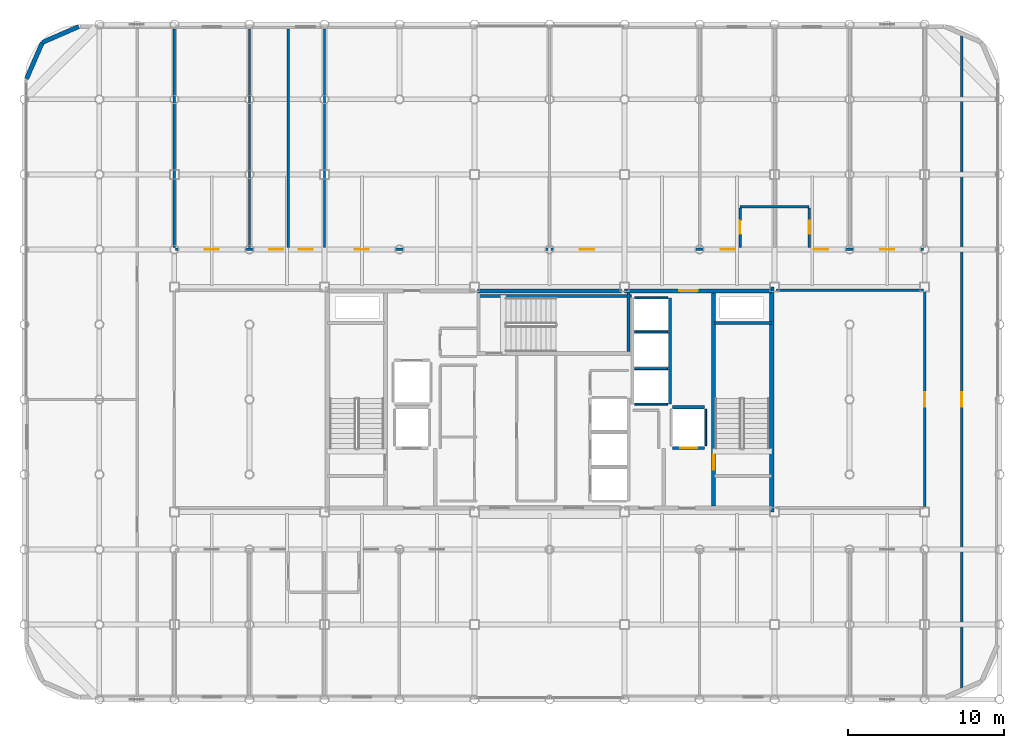
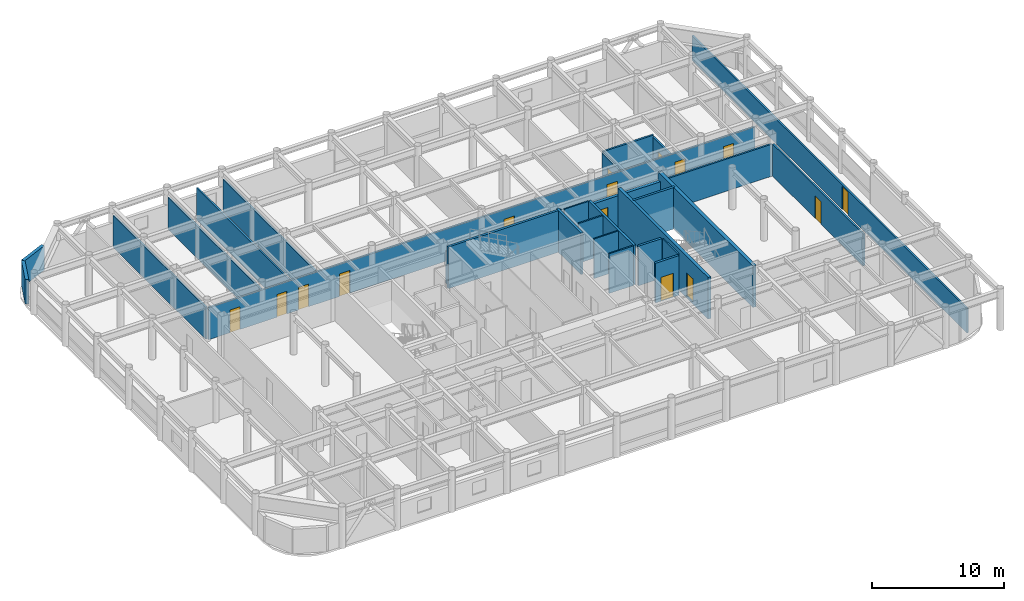
# One storey, part 20 of 22: 28 walls, 15 doors, 15 openings.
"""IFC4 building model written with IfcOpenShell, lengths in metres."""

from ifc_helpers import new_model, si_unit, direction, frame, frame_2d, origin, place, context, subcontext, project, spatial, rectangle, extrude, material, layer, layer_set, type_object, element, fill, save


model = new_model("IFC4")

# Units and contexts
model_context = context("Model", 3, precision=1e-05, world=origin(), true_north=direction((0.0, 1.0)))
body_context = subcontext(model_context, "Body", "Model", "MODEL_VIEW")
ifc_project = project(units=[si_unit("LENGTHUNIT", "METRE"), si_unit("AREAUNIT", "SQUARE_METRE"), si_unit("VOLUMEUNIT", "CUBIC_METRE"), si_unit("PLANEANGLEUNIT", "RADIAN"), si_unit("MASSUNIT", "GRAM", prefix="KILO")], contexts=[model_context])

# Site, building, storey
site_placement = place(None, origin())
site = spatial("IfcSite", under=ifc_project, at=site_placement, CompositionType="ELEMENT")
building_placement = place(site_placement, origin())
building = spatial("IfcBuilding", under=site, at=building_placement, Name="Kallvorn Hotel Tower", CompositionType="ELEMENT")
storey_placement = place(building_placement, frame((0.0, 0.0, 260.800048828125)))
storey = spatial("IfcBuildingStorey", under=building, at=storey_placement, Name="L65", CompositionType="ELEMENT", Elevation=260.800048828125)

# Wall
ifc_material_1 = material(Name="Concrete C50/60", Category="concrete")
ifc_layer_1 = layer(ifc_material_1, 0.300048828125)
ifc_layer_set_1 = layer_set([ifc_layer_1], Name="WL_CORE_300")
wall_type_1 = type_object("IfcWallType", Name="WL_CORE_300", PredefinedType="SHEAR", material=ifc_layer_set_1)
wall_1_placement = place(storey_placement, frame((14.215087890625, -7.199951171875, -0.179931640625), z_axis=(0.0, 0.0, 1.0), x_axis=(0.0, 1.0, 0.0)))
element("IfcWall", 1, at=wall_1_placement, inside=storey, type_object=wall_type_1, Name="L65 Core East Shear Wall", PredefinedType="SHEAR", context=body_context, shape_type="SweptSolid", body=[
    extrude(rectangle(XDim=14.39990234375, YDim=0.300048828125, at=frame_2d((7.199951171875, 0.0))), origin(), (0.0, 0.0, 1.0), 3.849853515625),
])

# Wall, openings, doors
ifc_material_2 = material(Name="Fire-rated double-layer acoustic gypsum drywall EI 60")
ifc_layer_2 = layer(ifc_material_2, 0.159912109375)
ifc_layer_set_2 = layer_set([ifc_layer_2], Name="WL_DEMISE_160")
wall_type_2 = type_object("IfcWallType", Name="WL_DEMISE_160", PredefinedType="PARTITIONING", material=ifc_layer_set_2)
wall_2_placement = place(storey_placement, frame((-23.919921875, 9.60009765625, 0.0), z_axis=(0.0, 0.0, 1.0), x_axis=(1.0, 0.0, 0.0)))
wall_2 = element("IfcWall", 2, at=wall_2_placement, inside=storey, type_object=wall_type_2, Name="L65 Suite 6503 Standard King Room Partition", PredefinedType="PARTITIONING", context=body_context, shape_type="SweptSolid", body=[
    extrude(rectangle(XDim=47.83984375, YDim=0.159912109375, at=frame_2d((23.919921875, 0.0))), origin(), (0.0, 0.0, 1.0), 2.969970703125),
])
opening_1_placement = place(wall_2_placement, frame((1.8701171875, 0.0, 0.0)))
opening_1 = element("IfcOpeningElement", 3, at=opening_1_placement, cuts=wall_2, Name="Opening SVD1", PredefinedType="OPENING", context=body_context, shape_type="SweptSolid", body=[
    extrude(rectangle(XDim=0.89990234375, YDim=2.10009765625, at=frame_2d((0.449951171875, 1.050048828125))), frame((0.0, 0.094970703125, 0.0), z_axis=(0.0, -1.0, 0.0), x_axis=(1.0, 0.0, 0.0)), (0.0, 0.0, 1.0), 0.18994140625),
])
opening_2_placement = place(wall_2_placement, frame((45.070068359375, 0.0, 0.0)))
opening_2 = element("IfcOpeningElement", 4, at=opening_2_placement, cuts=wall_2, Name="Opening SVD1", PredefinedType="OPENING", context=body_context, shape_type="SweptSolid", body=[
    extrude(rectangle(XDim=0.89990234375, YDim=2.10009765625, at=frame_2d((0.449951171875, 1.050048828125))), frame((0.0, 0.094970703125, 0.0), z_axis=(0.0, -1.0, 0.0), x_axis=(1.0, 0.0, 0.0)), (0.0, 0.0, 1.0), 0.18994140625),
])
opening_3_placement = place(wall_2_placement, frame((5.97998046875, 0.0, 0.0)))
opening_3 = element("IfcOpeningElement", 5, at=opening_3_placement, cuts=wall_2, Name="Opening SVD1", PredefinedType="OPENING", context=body_context, shape_type="SweptSolid", body=[
    extrude(rectangle(XDim=0.89990234375, YDim=2.10009765625, at=frame_2d((0.449951171875, 1.050048828125))), frame((0.0, 0.094970703125, 0.0), z_axis=(0.0, -1.0, 0.0), x_axis=(1.0, 0.0, 0.0)), (0.0, 0.0, 1.0), 0.18994140625),
])
opening_4_placement = place(wall_2_placement, frame((7.8701171875, 0.0, 0.0)))
opening_4 = element("IfcOpeningElement", 6, at=opening_4_placement, cuts=wall_2, Name="Opening SVD1", PredefinedType="OPENING", context=body_context, shape_type="SweptSolid", body=[
    extrude(rectangle(XDim=0.89990234375, YDim=2.10009765625, at=frame_2d((0.449951171875, 1.050048828125))), frame((0.0, 0.094970703125, 0.0), z_axis=(0.0, -1.0, 0.0), x_axis=(1.0, 0.0, 0.0)), (0.0, 0.0, 1.0), 0.18994140625),
])
opening_5_placement = place(wall_2_placement, frame((11.469970703125, 0.0, 0.0)))
opening_5 = element("IfcOpeningElement", 7, at=opening_5_placement, cuts=wall_2, Name="Opening SVD1", PredefinedType="OPENING", context=body_context, shape_type="SweptSolid", body=[
    extrude(rectangle(XDim=0.89990234375, YDim=2.10009765625, at=frame_2d((0.449951171875, 1.050048828125))), frame((0.0, 0.094970703125, 0.0), z_axis=(0.0, -1.0, 0.0), x_axis=(1.0, 0.0, 0.0)), (0.0, 0.0, 1.0), 0.18994140625),
])
opening_6_placement = place(wall_2_placement, frame((25.8701171875, 0.0, 0.0)))
opening_6 = element("IfcOpeningElement", 8, at=opening_6_placement, cuts=wall_2, Name="Opening SVD1", PredefinedType="OPENING", context=body_context, shape_type="SweptSolid", body=[
    extrude(rectangle(XDim=0.89990234375, YDim=2.10009765625, at=frame_2d((0.449951171875, 1.050048828125))), frame((0.0, 0.094970703125, 0.0), z_axis=(0.0, -1.0, 0.0), x_axis=(1.0, 0.0, 0.0)), (0.0, 0.0, 1.0), 0.18994140625),
])
opening_7_placement = place(wall_2_placement, frame((34.889892578125, 0.0, 0.0)))
opening_7 = element("IfcOpeningElement", 9, at=opening_7_placement, cuts=wall_2, Name="Opening GD1", PredefinedType="OPENING", context=body_context, shape_type="SweptSolid", body=[
    extrude(rectangle(XDim=0.919921875, YDim=2.14990234375, at=frame_2d((0.4599609375, 1.074951171875))), frame((0.0, 0.094970703125, 0.0), z_axis=(0.0, -1.0, 0.0), x_axis=(1.0, 0.0, 0.0)), (0.0, 0.0, 1.0), 0.18994140625),
])
opening_8_placement = place(wall_2_placement, frame((40.830078125, 0.0, 0.0)))
opening_8 = element("IfcOpeningElement", 10, at=opening_8_placement, cuts=wall_2, Name="Opening GD1", PredefinedType="OPENING", context=body_context, shape_type="SweptSolid", body=[
    extrude(rectangle(XDim=0.919921875, YDim=2.14990234375, at=frame_2d((0.4599609375, 1.074951171875))), frame((0.0, 0.094970703125, 0.0), z_axis=(0.0, -1.0, 0.0), x_axis=(1.0, 0.0, 0.0)), (0.0, 0.0, 1.0), 0.18994140625),
])
ifc_material_3 = material(Name="Solid-core walnut veneer fire-rated timber door leaf", Category="wood")
door_type_1 = type_object("IfcDoorType", Name="DR_GUEST_920x2150", OperationType="NOTDEFINED", PredefinedType="DOOR", material=ifc_material_3)
door_1_placement = place(opening_7_placement, origin())
door_1 = element("IfcDoor", 11, at=door_1_placement, inside=storey, type_object=door_type_1, Name="L65 Suite 6503 Standard King Room Door", OperationType="SINGLE_SWING_RIGHT", OverallHeight=2.14990234375, OverallWidth=0.919921875, PredefinedType="DOOR", context=body_context, shape_type="SweptSolid", body=[
    extrude(rectangle(XDim=0.919921875, YDim=2.14990234375, at=frame_2d((0.4599609375, 1.074951171875))), frame((0.0, 0.02490234375, 0.0), z_axis=(0.0, -1.0, 0.0), x_axis=(1.0, 0.0, 0.0)), (0.0, 0.0, 1.0), 0.050048828125),
])
fill(opening_7, door_1)
door_2_placement = place(opening_8_placement, origin())
door_2 = element("IfcDoor", 12, at=door_2_placement, inside=storey, type_object=door_type_1, Name="L65 Suite 6504 Standard King Room Door", OperationType="SINGLE_SWING_RIGHT", OverallHeight=2.14990234375, OverallWidth=0.919921875, PredefinedType="DOOR", context=body_context, shape_type="SweptSolid", body=[
    extrude(rectangle(XDim=0.919921875, YDim=2.14990234375, at=frame_2d((0.4599609375, 1.074951171875))), frame((0.0, 0.02490234375, 0.0), z_axis=(0.0, -1.0, 0.0), x_axis=(1.0, 0.0, 0.0)), (0.0, 0.0, 1.0), 0.050048828125),
])
fill(opening_8, door_2)
ifc_material_4 = material(Name="Galvanised painted steel fire-rated door assembly", Category="steel")
door_type_2 = type_object("IfcDoorType", Name="DR_SERV_900x2100", OperationType="NOTDEFINED", PredefinedType="DOOR", material=ifc_material_4)
door_3_placement = place(opening_1_placement, origin())
door_3 = element("IfcDoor", 13, at=door_3_placement, inside=storey, type_object=door_type_2, Name="L65 L65 High-Zone North-West Reading Salon Door", OperationType="SINGLE_SWING_RIGHT", OverallHeight=2.10009765625, OverallWidth=0.89990234375, PredefinedType="DOOR", context=body_context, shape_type="SweptSolid", body=[
    extrude(rectangle(XDim=0.89990234375, YDim=2.10009765625, at=frame_2d((0.449951171875, 1.050048828125))), frame((0.0, 0.02490234375, 0.0), z_axis=(0.0, -1.0, 0.0), x_axis=(1.0, 0.0, 0.0)), (0.0, 0.0, 1.0), 0.050048828125),
])
fill(opening_1, door_3)
door_4_placement = place(opening_2_placement, origin())
door_4 = element("IfcDoor", 14, at=door_4_placement, inside=storey, type_object=door_type_2, Name="L65 L65 High-Zone North-East Pastry Bar Door", OperationType="SINGLE_SWING_RIGHT", OverallHeight=2.10009765625, OverallWidth=0.89990234375, PredefinedType="DOOR", context=body_context, shape_type="SweptSolid", body=[
    extrude(rectangle(XDim=0.89990234375, YDim=2.10009765625, at=frame_2d((0.449951171875, 1.050048828125))), frame((0.0, 0.02490234375, 0.0), z_axis=(0.0, -1.0, 0.0), x_axis=(1.0, 0.0, 0.0)), (0.0, 0.0, 1.0), 0.050048828125),
])
fill(opening_2, door_4)
door_5_placement = place(opening_3_placement, origin())
door_5 = element("IfcDoor", 15, at=door_5_placement, inside=storey, type_object=door_type_2, Name="L65 Housekeeping and Linen Room Door", OperationType="SINGLE_SWING_RIGHT", OverallHeight=2.10009765625, OverallWidth=0.89990234375, PredefinedType="DOOR", context=body_context, shape_type="SweptSolid", body=[
    extrude(rectangle(XDim=0.89990234375, YDim=2.10009765625, at=frame_2d((0.449951171875, 1.050048828125))), frame((0.0, 0.02490234375, 0.0), z_axis=(0.0, -1.0, 0.0), x_axis=(1.0, 0.0, 0.0)), (0.0, 0.0, 1.0), 0.050048828125),
])
fill(opening_3, door_5)
door_6_placement = place(opening_4_placement, origin())
door_6 = element("IfcDoor", 16, at=door_6_placement, inside=storey, type_object=door_type_2, Name="L65 Guest Tea and Refreshment Bar Door", OperationType="SINGLE_SWING_LEFT", OverallHeight=2.10009765625, OverallWidth=0.89990234375, PredefinedType="DOOR", context=body_context, shape_type="SweptSolid", body=[
    extrude(rectangle(XDim=0.89990234375, YDim=2.10009765625, at=frame_2d((0.449951171875, 1.050048828125))), frame((0.0, 0.02490234375, 0.0), z_axis=(0.0, -1.0, 0.0), x_axis=(1.0, 0.0, 0.0)), (0.0, 0.0, 1.0), 0.050048828125),
])
fill(opening_4, door_6)
door_7_placement = place(opening_5_placement, origin())
door_7 = element("IfcDoor", 17, at=door_7_placement, inside=storey, type_object=door_type_2, Name="L65 L65 Curated Emerald Craft Retail Boutique 2 Door", OperationType="SINGLE_SWING_LEFT", OverallHeight=2.10009765625, OverallWidth=0.89990234375, PredefinedType="DOOR", context=body_context, shape_type="SweptSolid", body=[
    extrude(rectangle(XDim=0.89990234375, YDim=2.10009765625, at=frame_2d((0.449951171875, 1.050048828125))), frame((0.0, 0.02490234375, 0.0), z_axis=(0.0, -1.0, 0.0), x_axis=(1.0, 0.0, 0.0)), (0.0, 0.0, 1.0), 0.050048828125),
])
fill(opening_5, door_7)
door_8_placement = place(opening_6_placement, origin())
door_8 = element("IfcDoor", 18, at=door_8_placement, inside=storey, type_object=door_type_2, Name="L65 L65 Haute Couture Design Retail Shop 3 Door", OperationType="SINGLE_SWING_LEFT", OverallHeight=2.10009765625, OverallWidth=0.89990234375, PredefinedType="DOOR", context=body_context, shape_type="SweptSolid", body=[
    extrude(rectangle(XDim=0.89990234375, YDim=2.10009765625, at=frame_2d((0.449951171875, 1.050048828125))), frame((0.0, 0.02490234375, 0.0), z_axis=(0.0, -1.0, 0.0), x_axis=(1.0, 0.0, 0.0)), (0.0, 0.0, 1.0), 0.050048828125),
])
fill(opening_6, door_8)

# Wall
wall_3_placement = place(storey_placement, frame((12.18994140625, 12.320068359375, 0.0), z_axis=(0.0, 0.0, 1.0), x_axis=(1.0, 0.0, 0.0)))
element("IfcWall", 19, at=wall_3_placement, inside=storey, type_object=wall_type_2, Name="L65 Suite 6503 Standard King Room Partition", PredefinedType="PARTITIONING", context=body_context, shape_type="SweptSolid", body=[
    extrude(rectangle(XDim=4.420166015625, YDim=0.159912109375, at=frame_2d((2.2099609375, 0.0))), origin(), (0.0, 0.0, 1.0), 3.119873046875),
])

# Wall, opening, door
wall_4_placement = place(storey_placement, frame((12.18994140625, 9.719970703125, 0.0), z_axis=(0.0, 0.0, 1.0), x_axis=(0.0, 1.0, 0.0)))
wall_4 = element("IfcWall", 20, at=wall_4_placement, inside=storey, type_object=wall_type_2, Name="L65 Suite 6503 Standard King Room Partition", PredefinedType="PARTITIONING", context=body_context, shape_type="SweptSolid", body=[
    extrude(rectangle(XDim=2.51513671875, YDim=0.159912109375, at=frame_2d((1.257568359375, 0.0))), origin(), (0.0, 0.0, 1.0), 2.969970703125),
])
opening_9_placement = place(wall_4_placement, frame((0.8701171875, 0.0, 0.0)))
opening_9 = element("IfcOpeningElement", 21, at=opening_9_placement, cuts=wall_4, Name="Opening BD-I", PredefinedType="OPENING", context=body_context, shape_type="SweptSolid", body=[
    extrude(rectangle(XDim=0.860107421875, YDim=2.10009765625, at=frame_2d((0.43017578125, 1.050048828125))), frame((0.0, 0.094970703125, 0.0), z_axis=(0.0, -1.0, 0.0), x_axis=(1.0, 0.0, 0.0)), (0.0, 0.0, 1.0), 0.18994140625),
])
ifc_material_5 = material(Name="Solid-core walnut veneer fire-rated timber door leaf", Category="wood")
door_type_3 = type_object("IfcDoorType", Name="DR_BATH_860x2100", OperationType="NOTDEFINED", PredefinedType="DOOR", material=ifc_material_5)
door_9_placement = place(opening_9_placement, origin())
door_9 = element("IfcDoor", 22, at=door_9_placement, inside=storey, type_object=door_type_3, Name="L65 Suite 6503 En-Suite Bathroom Door", OperationType="SINGLE_SWING_LEFT", OverallHeight=2.10009765625, OverallWidth=0.860107421875, PredefinedType="DOOR", context=body_context, shape_type="SweptSolid", body=[
    extrude(rectangle(XDim=0.860107421875, YDim=2.10009765625, at=frame_2d((0.43017578125, 1.050048828125))), frame((0.0, 0.02490234375, 0.0), z_axis=(0.0, -1.0, 0.0), x_axis=(1.0, 0.0, 0.0)), (0.0, 0.0, 1.0), 0.050048828125),
])
fill(opening_9, door_9)

wall_5_placement = place(storey_placement, frame((16.610107421875, 9.719970703125, 0.0), z_axis=(0.0, 0.0, 1.0), x_axis=(0.0, 1.0, 0.0)))
wall_5 = element("IfcWall", 23, at=wall_5_placement, inside=storey, type_object=wall_type_2, Name="L65 Suite 6504 Standard King Room Partition", PredefinedType="PARTITIONING", context=body_context, shape_type="SweptSolid", body=[
    extrude(rectangle(XDim=2.51513671875, YDim=0.159912109375, at=frame_2d((1.257568359375, 0.0))), origin(), (0.0, 0.0, 1.0), 2.969970703125),
])
opening_10_placement = place(wall_5_placement, frame((0.8701171875, 0.0, 0.0)))
opening_10 = element("IfcOpeningElement", 24, at=opening_10_placement, cuts=wall_5, Name="Opening BD-I", PredefinedType="OPENING", context=body_context, shape_type="SweptSolid", body=[
    extrude(rectangle(XDim=0.860107421875, YDim=2.10009765625, at=frame_2d((0.43017578125, 1.050048828125))), frame((0.0, 0.094970703125, 0.0), z_axis=(0.0, -1.0, 0.0), x_axis=(1.0, 0.0, 0.0)), (0.0, 0.0, 1.0), 0.18994140625),
])
door_10_placement = place(opening_10_placement, origin())
door_10 = element("IfcDoor", 25, at=door_10_placement, inside=storey, type_object=door_type_3, Name="L65 Suite 6504 En-Suite Bathroom Door", OperationType="SINGLE_SWING_RIGHT", OverallHeight=2.10009765625, OverallWidth=0.860107421875, PredefinedType="DOOR", context=body_context, shape_type="SweptSolid", body=[
    extrude(rectangle(XDim=0.860107421875, YDim=2.10009765625, at=frame_2d((0.43017578125, 1.050048828125))), frame((0.0, 0.02490234375, 0.0), z_axis=(0.0, -1.0, 0.0), x_axis=(1.0, 0.0, 0.0)), (0.0, 0.0, 1.0), 0.050048828125),
])
fill(opening_10, door_10)

# Walls
ifc_material_6 = material(Name="Precast basalt-clad insulated concrete wall C40/50", Category="masonry")
ifc_layer_3 = layer(ifc_material_6, 0.280029296875)
ifc_layer_set_3 = layer_set([ifc_layer_3], Name="WL_EXT_LOGGIA_280")
wall_type_3 = type_object("IfcWallType", Name="WL_EXT_LOGGIA_280", PredefinedType="SOLIDWALL", material=ifc_layer_set_3)
wall_6_placement = place(storey_placement, frame((-30.120849609375, 23.85791015625, 0.0), z_axis=(0.0, 0.0, 1.0), x_axis=(-0.917060872934, -0.398747232384, 0.0)))
element("IfcWall", 26, at=wall_6_placement, inside=storey, type_object=wall_type_3, Name="L65 Rounded Corner Exterior Wall NW1", PredefinedType="SOLIDWALL", context=body_context, shape_type="SweptSolid", body=[
    extrude(rectangle(XDim=2.5361328125, YDim=0.280029296875, at=frame_2d((1.26806640625, 0.0))), origin(), (0.0, 0.0, 1.0), 2.27001953125),
])
wall_7_placement = place(storey_placement, frame((-32.446533203125, 22.8466796875, 0.0), z_axis=(0.0, 0.0, 1.0), x_axis=(-0.398792985289, -0.917040977756, 0.0)))
element("IfcWall", 27, at=wall_7_placement, inside=storey, type_object=wall_type_3, Name="L65 Rounded Corner Exterior Wall NW2", PredefinedType="SOLIDWALL", context=body_context, shape_type="SweptSolid", body=[
    extrude(rectangle(XDim=2.536376953125, YDim=0.280029296875, at=frame_2d((1.26806640625, 0.0))), origin(), (0.0, 0.0, 1.0), 2.27001953125),
])
ifc_material_7 = material(Name="Concrete C40/50", Category="concrete")
ifc_layer_4 = layer(ifc_material_7, 0.199951171875)
ifc_layer_set_4 = layer_set([ifc_layer_4], Name="WL_HOIST_200")
wall_type_4 = type_object("IfcWallType", Name="WL_HOIST_200", PredefinedType="SOLIDWALL", material=ifc_layer_set_4)
wall_8_placement = place(storey_placement, frame((10.550048828125, 4.89990234375, -0.179931640625), z_axis=(0.0, 0.0, 1.0), x_axis=(1.0, 0.0, 0.0)))
element("IfcWall", 28, at=wall_8_placement, inside=storey, type_object=wall_type_4, Name="L65 Stair ST2 North Wall", PredefinedType="SOLIDWALL", context=body_context, shape_type="SweptSolid", body=[
    extrude(rectangle(XDim=3.64990234375, YDim=0.199951171875, at=frame_2d((1.824951171875, 0.0))), origin(), (0.0, 0.0, 1.0), 3.849853515625),
])
wall_9_placement = place(storey_placement, frame((-4.64990234375, 6.610107421875, -0.179931640625), z_axis=(0.0, 0.0, 1.0), x_axis=(1.0, 0.0, 0.0)))
element("IfcWall", 29, at=wall_9_placement, inside=storey, type_object=wall_type_4, Name="L65 Stair ST3 Shaft North Wall", PredefinedType="SOLIDWALL", context=body_context, shape_type="SweptSolid", body=[
    extrude(rectangle(XDim=9.89990234375, YDim=0.199951171875, at=frame_2d((4.949951171875, 0.0))), origin(), (0.0, 0.0, 1.0), 3.849853515625),
])
wall_10_placement = place(storey_placement, frame((5.06005859375, 3.080078125, -0.179931640625), z_axis=(0.0, 0.0, 1.0), x_axis=(0.0, 1.0, 0.0)))
element("IfcWall", 30, at=wall_10_placement, inside=storey, type_object=wall_type_4, Name="L65 Stair ST3 East Wall", PredefinedType="SOLIDWALL", context=body_context, shape_type="SweptSolid", body=[
    extrude(rectangle(XDim=3.739990234375, YDim=0.199951171875, at=frame_2d((1.8701171875, 0.0))), origin(), (0.0, 0.0, 1.0), 3.849853515625),
])
wall_11_placement = place(storey_placement, frame((7.699951171875, -0.300048828125, 0.0), z_axis=(0.0, 0.0, 1.0), x_axis=(0.0, 1.0, 0.0)))
element("IfcWall", 31, at=wall_11_placement, inside=storey, type_object=wall_type_4, Name="L65 Lift Bank OBS Landing Wall", PredefinedType="SOLIDWALL", context=body_context, shape_type="SweptSolid", body=[
    extrude(rectangle(XDim=6.800048828125, YDim=0.199951171875, at=frame_2d((3.39990234375, 0.0))), origin(), (0.0, 0.0, 1.0), 3.669921875),
])

# Wall, opening, door
wall_12_placement = place(storey_placement, frame((7.8798828125, -3.10009765625, 0.0), z_axis=(0.0, 0.0, 1.0), x_axis=(1.0, 0.0, 0.0)))
wall_12 = element("IfcWall", 32, at=wall_12_placement, inside=storey, type_object=wall_type_4, Name="L65 FL-2 Landing Wall", PredefinedType="SOLIDWALL", context=body_context, shape_type="SweptSolid", body=[
    extrude(rectangle(XDim=2.0400390625, YDim=0.199951171875, at=frame_2d((1.02001953125, 0.0))), origin(), (0.0, 0.0, 1.0), 3.669921875),
])
opening_11_placement = place(wall_12_placement, frame((0.469970703125, 0.0, 0.0)))
opening_11 = element("IfcOpeningElement", 33, at=opening_11_placement, cuts=wall_12, Name="Opening LD-FL-2", PredefinedType="OPENING", context=body_context, shape_type="SweptSolid", body=[
    extrude(rectangle(XDim=1.10009765625, YDim=2.199951171875, at=frame_2d((0.550048828125, 1.10009765625))), frame((0.0, 0.114990234375, 0.0), z_axis=(0.0, -1.0, 0.0), x_axis=(1.0, 0.0, 0.0)), (0.0, 0.0, 1.0), 0.22998046875),
])
ifc_material_8 = material(Name="Brushed stainless-steel automatic sliding lift landing door", Category="steel")
door_type_4 = type_object("IfcDoorType", Name="LD_PASS_1100x2200", OperationType="SLIDING_TO_LEFT", PredefinedType="DOOR", material=ifc_material_8)
door_11_placement = place(opening_11_placement, origin())
door_11 = element("IfcDoor", 34, at=door_11_placement, inside=storey, type_object=door_type_4, Name="L65 Lift Landing Sliding Door LD-FL-2", OperationType="SLIDING_TO_LEFT", OverallHeight=2.199951171875, OverallWidth=1.10009765625, PredefinedType="DOOR", context=body_context, shape_type="SweptSolid", body=[
    extrude(rectangle(XDim=1.10009765625, YDim=2.199951171875, at=frame_2d((0.550048828125, 1.10009765625))), frame((0.0, 0.02490234375, 0.0), z_axis=(0.0, -1.0, 0.0), x_axis=(1.0, 0.0, 0.0)), (0.0, 0.0, 1.0), 0.050048828125),
])
fill(opening_11, door_11)

# Walls
wall_13_placement = place(storey_placement, frame((7.8798828125, -0.5, 0.0), z_axis=(0.0, 0.0, 1.0), x_axis=(1.0, 0.0, 0.0)))
element("IfcWall", 35, at=wall_13_placement, inside=storey, type_object=wall_type_4, Name="L65 FL-2 Rear Shaft Wall", PredefinedType="SOLIDWALL", context=body_context, shape_type="SweptSolid", body=[
    extrude(rectangle(XDim=2.0400390625, YDim=0.199951171875, at=frame_2d((1.02001953125, 0.0))), origin(), (0.0, 0.0, 1.0), 3.669921875),
])
ifc_material_9 = material(Name="Fire-rated double-layer acoustic gypsum drywall EI 60")
ifc_layer_5 = layer(ifc_material_9, 0.1201171875)
ifc_layer_set_5 = layer_set([ifc_layer_5], Name="WL_INT_120")
wall_type_5 = type_object("IfcWallType", Name="WL_INT_120", PredefinedType="PARTITIONING", material=ifc_layer_set_5)
for number, where, z_axis, x_axis, name in (
    (36, (5.43994140625, -0.300048828125, 0.0), (0.0, 0.0, 1.0), (1.0, 0.0, 0.0), "L65 Lift Bank OBS South Closure Wall"),
    (37, (5.43994140625, 1.97509765625, 0.0), (0.0, 0.0, 1.0), (1.0, 0.0, 0.0), "L65 OB-01 Hoistway Divider"),
    (38, (5.43994140625, 4.324951171875, 0.0), (0.0, 0.0, 1.0), (1.0, 0.0, 0.0), "L65 OB-02 Hoistway Divider"),
    (39, (5.43994140625, 6.5, 0.0), (0.0, 0.0, 1.0), (1.0, 0.0, 0.0), "L65 OB-03 Hoistway Divider"),
):
    element("IfcWall", number, at=place(storey_placement, frame(where, z_axis=z_axis, x_axis=x_axis)), inside=storey, type_object=wall_type_5, Name=name, PredefinedType="PARTITIONING", context=body_context, shape_type="SweptSolid", body=[
        extrude(rectangle(XDim=2.1201171875, YDim=0.1201171875, at=frame_2d((1.06005859375, 0.0))), origin(), (0.0, 0.0, 1.0), 3.669921875),
    ])
wall_14_placement = place(storey_placement, frame((10.0, -2.9599609375, 0.0), z_axis=(0.0, 0.0, 1.0), x_axis=(0.0, 1.0, 0.0)))
element("IfcWall", 40, at=wall_14_placement, inside=storey, type_object=wall_type_5, Name="L65 FL-2 East Shaft Wall", PredefinedType="PARTITIONING", context=body_context, shape_type="SweptSolid", body=[
    extrude(rectangle(XDim=2.320068359375, YDim=0.1201171875, at=frame_2d((1.16015625, 0.0))), origin(), (0.0, 0.0, 1.0), 3.669921875),
])
ifc_material_10 = material(Name="Fire-rated double-layer acoustic gypsum drywall EI 60")
ifc_layer_6 = layer(ifc_material_10, 0.14990234375)
ifc_layer_set_6 = layer_set([ifc_layer_6], Name="WL_PART_150")
wall_type_6 = type_object("IfcWallType", Name="WL_PART_150", PredefinedType="PARTITIONING", material=ifc_layer_set_6)
wall_15_placement = place(storey_placement, frame((14.52001953125, 6.97998046875, 0.0), z_axis=(0.0, 0.0, 1.0), x_axis=(1.0, 0.0, 0.0)))
element("IfcWall", 41, at=wall_15_placement, inside=storey, type_object=wall_type_6, Name="L65 L65 High-Zone Inner East Club Gallery Partition", PredefinedType="PARTITIONING", context=body_context, shape_type="SweptSolid", body=[
    extrude(rectangle(XDim=9.39990234375, YDim=0.14990234375, at=frame_2d((4.699951171875, 0.0))), origin(), (0.0, 0.0, 1.0), 2.969970703125),
])
for number, where, z_axis, x_axis, name in (
    (42, (-24.0, 9.719970703125, 0.0), (0.0, 0.0, 1.0), (0.0, 1.0, 0.0), "L65 L65 High-Zone North-West Reading Salon Partition"),
    (43, (-19.199951171875, 9.719970703125, 0.0), (0.0, 0.0, 1.0), (0.0, 1.0, 0.0), "L65 Housekeeping and Linen Room Partition"),
    (44, (-16.705078125, 9.719970703125, 0.0), (0.0, 0.0, 1.0), (0.0, 1.0, 0.0), "L65 Guest Tea and Refreshment Bar Partition"),
    (45, (-14.39990234375, 9.719970703125, 0.0), (0.0, 0.0, 1.0), (0.0, 1.0, 0.0), "L65 Guest Tea and Refreshment Bar Partition"),
):
    element("IfcWall", number, at=place(storey_placement, frame(where, z_axis=z_axis, x_axis=x_axis)), inside=storey, type_object=wall_type_6, Name=name, PredefinedType="PARTITIONING", context=body_context, shape_type="SweptSolid", body=[
        extrude(rectangle(XDim=13.989990234375, YDim=0.14990234375, at=frame_2d((6.9951171875, 0.0))), origin(), (0.0, 0.0, 1.0), 2.969970703125),
    ])

# Wall, opening, door
wall_16_placement = place(storey_placement, frame((24.0, -6.8349609375, 0.0), z_axis=(0.0, 0.0, 1.0), x_axis=(0.0, 1.0, 0.0)))
wall_16 = element("IfcWall", 46, at=wall_16_placement, inside=storey, type_object=wall_type_6, Name="L65 L65 High-Zone Inner East Club Gallery Partition", PredefinedType="PARTITIONING", context=body_context, shape_type="SweptSolid", body=[
    extrude(rectangle(XDim=13.72998046875, YDim=0.14990234375, at=frame_2d((6.864990234375, 0.0))), origin(), (0.0, 0.0, 1.0), 2.969970703125),
])
opening_12_placement = place(wall_16_placement, frame((6.385009765625, 0.0, 0.0)))
opening_12 = element("IfcOpeningElement", 47, at=opening_12_placement, cuts=wall_16, Name="Opening SVD1", PredefinedType="OPENING", context=body_context, shape_type="SweptSolid", body=[
    extrude(rectangle(XDim=0.89990234375, YDim=2.10009765625, at=frame_2d((0.449951171875, 1.050048828125))), frame((0.0, 0.08984375, 0.0), z_axis=(0.0, -1.0, 0.0), x_axis=(1.0, 0.0, 0.0)), (0.0, 0.0, 1.0), 0.179931640625),
])
door_12_placement = place(opening_12_placement, origin())
door_12 = element("IfcDoor", 48, at=door_12_placement, inside=storey, type_object=door_type_2, Name="L65 L65 High-Zone Inner East Club Gallery Door", OperationType="SINGLE_SWING_RIGHT", OverallHeight=2.10009765625, OverallWidth=0.89990234375, PredefinedType="DOOR", context=body_context, shape_type="SweptSolid", body=[
    extrude(rectangle(XDim=0.89990234375, YDim=2.10009765625, at=frame_2d((0.449951171875, 1.050048828125))), frame((0.0, 0.02490234375, 0.0), z_axis=(0.0, -1.0, 0.0), x_axis=(1.0, 0.0, 0.0)), (0.0, 0.0, 1.0), 0.050048828125),
])
fill(opening_12, door_12)

wall_17_placement = place(storey_placement, frame((26.3798828125, -18.447265625, 0.0), z_axis=(0.0, 0.0, 1.0), x_axis=(0.0, 1.0, 0.0)))
wall_17 = element("IfcWall", 49, at=wall_17_placement, inside=storey, type_object=wall_type_6, Name="L65 L65 Outer East Sky Observatory Salon Partition", PredefinedType="PARTITIONING", context=body_context, shape_type="SweptSolid", body=[
    extrude(rectangle(XDim=41.694580078125, YDim=0.14990234375, at=frame_2d((20.84716796875, 0.0))), origin(), (0.0, 0.0, 1.0), 2.27001953125),
])
opening_13_placement = place(wall_17_placement, frame((17.997314453125, 0.0, 0.0)))
opening_13 = element("IfcOpeningElement", 50, at=opening_13_placement, cuts=wall_17, Name="Opening SVD1", PredefinedType="OPENING", context=body_context, shape_type="SweptSolid", body=[
    extrude(rectangle(XDim=0.89990234375, YDim=2.10009765625, at=frame_2d((0.449951171875, 1.050048828125))), frame((0.0, 0.08984375, 0.0), z_axis=(0.0, -1.0, 0.0), x_axis=(1.0, 0.0, 0.0)), (0.0, 0.0, 1.0), 0.179931640625),
])
door_13_placement = place(opening_13_placement, origin())
door_13 = element("IfcDoor", 51, at=door_13_placement, inside=storey, type_object=door_type_2, Name="L65 L65 Outer East Sky Observatory Salon Door", OperationType="SINGLE_SWING_RIGHT", OverallHeight=2.10009765625, OverallWidth=0.89990234375, PredefinedType="DOOR", context=body_context, shape_type="SweptSolid", body=[
    extrude(rectangle(XDim=0.89990234375, YDim=2.10009765625, at=frame_2d((0.449951171875, 1.050048828125))), frame((0.0, 0.02490234375, 0.0), z_axis=(0.0, -1.0, 0.0), x_axis=(1.0, 0.0, 0.0)), (0.0, 0.0, 1.0), 0.050048828125),
])
fill(opening_13, door_13)

# Wall
ifc_material_11 = material(Name="Concrete C40/50", Category="concrete")
ifc_layer_7 = layer(ifc_material_11, 0.25)
ifc_layer_set_7 = layer_set([ifc_layer_7], Name="WL_SHAFT_250")
wall_type_7 = type_object("IfcWallType", Name="WL_SHAFT_250", PredefinedType="SOLIDWALL", material=ifc_layer_set_7)
wall_18_placement = place(storey_placement, frame((-4.60009765625, 6.949951171875, 0.0), z_axis=(0.0, 0.0, 1.0), x_axis=(1.0, 0.0, 0.0)))
element("IfcWall", 52, at=wall_18_placement, inside=storey, type_object=wall_type_7, Name="L65 Core North-Central Wall", PredefinedType="SOLIDWALL", context=body_context, shape_type="SweptSolid", body=[
    extrude(rectangle(XDim=9.2001953125, YDim=0.25, at=frame_2d((4.60009765625, 0.0))), origin(), (0.0, 0.0, 1.0), 2.969970703125),
])

# Wall, opening, door
wall_19_placement = place(storey_placement, frame((4.800048828125, 6.949951171875, 0.0), z_axis=(0.0, 0.0, 1.0), x_axis=(1.0, 0.0, 0.0)))
wall_19 = element("IfcWall", 53, at=wall_19_placement, inside=storey, type_object=wall_type_7, Name="L65 Core North-East Wall", PredefinedType="SOLIDWALL", context=body_context, shape_type="SweptSolid", body=[
    extrude(rectangle(XDim=9.39990234375, YDim=0.25, at=frame_2d((4.699951171875, 0.0))), origin(), (0.0, 0.0, 1.0), 2.969970703125),
])
opening_14_placement = place(wall_19_placement, frame((3.5, 0.0, 0.0)))
opening_14 = element("IfcOpeningElement", 54, at=opening_14_placement, cuts=wall_19, Name="Opening FD2", PredefinedType="OPENING", context=body_context, shape_type="SweptSolid", body=[
    extrude(rectangle(XDim=1.199951171875, YDim=2.199951171875, at=frame_2d((0.60009765625, 1.10009765625))), frame((0.0, 0.139892578125, 0.0), z_axis=(0.0, -1.0, 0.0), x_axis=(1.0, 0.0, 0.0)), (0.0, 0.0, 1.0), 0.280029296875),
])
ifc_material_12 = material(Name="Galvanised painted steel fire-rated door assembly", Category="steel")
door_type_5 = type_object("IfcDoorType", Name="DR_LOBBY_1200x2200", OperationType="DOUBLE_DOOR_SINGLE_SWING", PredefinedType="DOOR", material=ifc_material_12)
door_14_placement = place(opening_14_placement, origin())
door_14 = element("IfcDoor", 55, at=door_14_placement, inside=storey, type_object=door_type_5, Name="L65 Observatory Shuttle Lobby Door", OperationType="DOUBLE_DOOR_SINGLE_SWING", OverallHeight=2.199951171875, OverallWidth=1.199951171875, PredefinedType="DOOR", context=body_context, shape_type="SweptSolid", body=[
    extrude(rectangle(XDim=1.199951171875, YDim=2.199951171875, at=frame_2d((0.60009765625, 1.10009765625))), frame((0.0, 0.02490234375, 0.0), z_axis=(0.0, -1.0, 0.0), x_axis=(1.0, 0.0, 0.0)), (0.0, 0.0, 1.0), 0.050048828125),
])
fill(opening_14, door_14)

wall_20_placement = place(storey_placement, frame((10.5, -6.820068359375, -0.179931640625), z_axis=(0.0, 0.0, 1.0), x_axis=(0.0, 1.0, 0.0)))
wall_20 = element("IfcWall", 56, at=wall_20_placement, inside=storey, type_object=wall_type_7, Name="L65 Stair ST2 Shaft Wall", PredefinedType="SOLIDWALL", context=body_context, shape_type="SweptSolid", body=[
    extrude(rectangle(XDim=13.64013671875, YDim=0.25, at=frame_2d((6.820068359375, 0.0))), origin(), (0.0, 0.0, 1.0), 3.849853515625),
])
opening_15_placement = place(wall_20_placement, frame((2.320068359375, 0.0, 0.179931640625)))
opening_15 = element("IfcOpeningElement", 57, at=opening_15_placement, cuts=wall_20, Name="Opening SD1", PredefinedType="OPENING", context=body_context, shape_type="SweptSolid", body=[
    extrude(rectangle(XDim=0.949951171875, YDim=2.14990234375, at=frame_2d((0.47509765625, 1.074951171875))), frame((0.0, 0.139892578125, 0.0), z_axis=(0.0, -1.0, 0.0), x_axis=(1.0, 0.0, 0.0)), (0.0, 0.0, 1.0), 0.280029296875),
])
ifc_material_13 = material(Name="Galvanised painted steel fire-rated door assembly", Category="steel")
door_type_6 = type_object("IfcDoorType", Name="DR_STAIR_950x2150", OperationType="NOTDEFINED", PredefinedType="DOOR", material=ifc_material_13)
door_15_placement = place(opening_15_placement, origin())
door_15 = element("IfcDoor", 58, at=door_15_placement, inside=storey, type_object=door_type_6, Name="L65 Exit Stair ST2 Fire Door", OperationType="SINGLE_SWING_RIGHT", OverallHeight=2.14990234375, OverallWidth=0.949951171875, PredefinedType="DOOR", context=body_context, shape_type="SweptSolid", body=[
    extrude(rectangle(XDim=0.949951171875, YDim=2.14990234375, at=frame_2d((0.47509765625, 1.074951171875))), frame((0.0, 0.02490234375, 0.0), z_axis=(0.0, -1.0, 0.0), x_axis=(1.0, 0.0, 0.0)), (0.0, 0.0, 1.0), 0.050048828125),
])
fill(opening_15, door_15)

save(model, "model.ifc")
